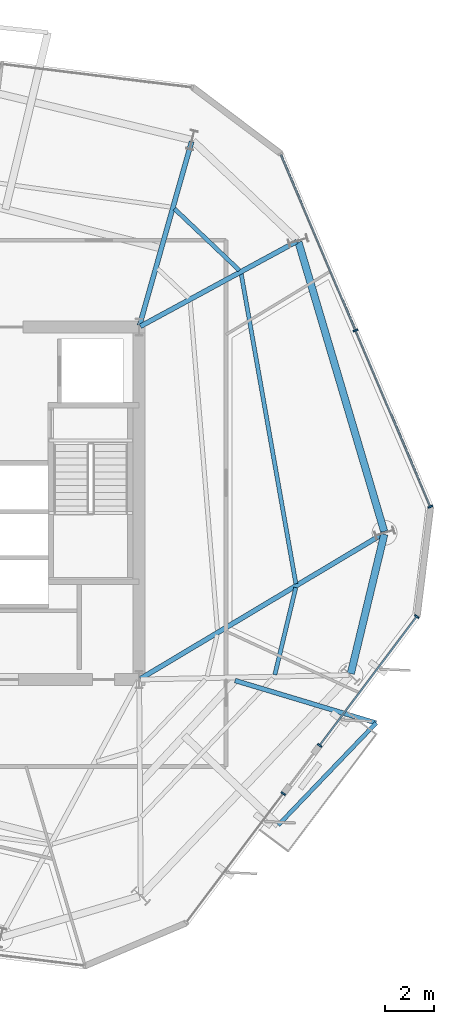
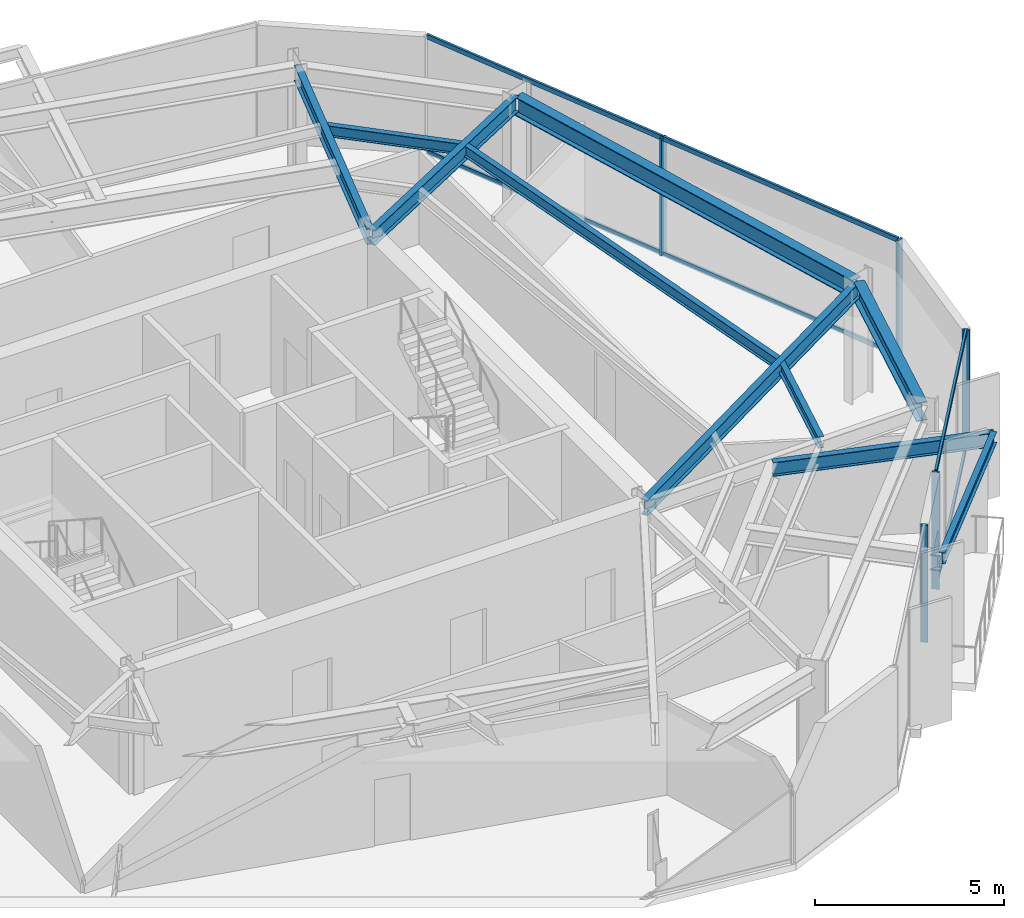
# One storey, part 5 of 12: 11 members, 10 beams, 3 elements without a shape of their own.
"""IFC4 building model written with IfcOpenShell, lengths in metres."""

from ifc_helpers import new_model, si_unit, direction, frame, origin, origin_2d, place, context, subcontext, project, spatial, rectangle, i_section, extrude, material, layer, layer_set, material_profile, profile_set, type_object, element, aggregate, save


model = new_model("IFC4")

# Units and contexts
model_context = context("Model", 3, precision=1e-05, world=origin(), true_north=direction((0.0, 1.0)))
body_context = subcontext(model_context, "Body", "Model", "MODEL_VIEW")
ifc_project = project(units=[si_unit("LENGTHUNIT", "METRE"), si_unit("AREAUNIT", "SQUARE_METRE"), si_unit("VOLUMEUNIT", "CUBIC_METRE"), si_unit("PLANEANGLEUNIT", "RADIAN"), si_unit("MASSUNIT", "GRAM", prefix="KILO")], contexts=[model_context])

# Site, building, storey
site_placement = place(None, origin())
site = spatial("IfcSite", under=ifc_project, at=site_placement, CompositionType="ELEMENT")
building_placement = place(site_placement, origin())
building = spatial("IfcBuilding", under=site, at=building_placement, Name="Kranzbogen Civic Tower", CompositionType="ELEMENT")
storey_placement = place(building_placement, frame((0.0, 0.0, 236.800048828125)))
storey = spatial("IfcBuildingStorey", under=building, at=storey_placement, Name="L57", CompositionType="ELEMENT", Elevation=236.800048828125)

# Beam
ifc_material_1 = material(Name="Steel S355", Category="steel")
ifc_material_profile_1 = material_profile(ifc_material_1, i_section(OverallWidth=0.18994140625, OverallDepth=0.449951171875, WebThickness=0.009521484375, FlangeThickness=0.0146484375, at=origin_2d()), Name="IPE 450")
ifc_profile_set_1 = profile_set([ifc_material_profile_1], Name="Steel S355")
beam_type_1 = type_object("IfcBeamType", Name="Braced Terrace Edge Beam IPE 450", PredefinedType="BEAM", material=ifc_profile_set_1)
beam_1_placement = place(storey_placement, frame((36.718017578125, 17.760009765625, 3.494873046875), z_axis=(0.957469300224, -0.288535160991, 0.0), x_axis=(0.288535160991, 0.957469300224, 0.0)))
element("IfcBeam", 1, at=beam_1_placement, inside=storey, type_object=beam_type_1, Name="L58 back-spanned terrace beam L58-ST-2", PredefinedType="BEAM", context=body_context, shape_type="SweptSolid", body=[
    extrude(i_section(OverallWidth=0.18994140625, OverallDepth=0.449951171875, WebThickness=0.009521484375, FlangeThickness=0.0146484375, at=origin_2d()), origin(), (0.0, 0.0, 1.0), 6.016845703125),
])

# Curtain wall, member
ifc_material_2 = material(Name="Pale Anodised Aluminium", Category="aluminium")
ifc_layer = layer(ifc_material_2, 0.219970703125, Name="Pale Anodised Aluminium")
ifc_layer_set = layer_set([ifc_layer], Name="Pale Anodised Aluminium")
curtain_wall_type = type_object("IfcCurtainWallType", Name="Zone 3 Stick Curtain Wall System CW-04", PredefinedType="USERDEFINED", material=ifc_layer_set)
curtain_wall_1_placement = place(storey_placement, origin())
curtain_wall_1 = element("IfcCurtainWall", 2, at=curtain_wall_1_placement, inside=storey, type_object=curtain_wall_type, Name="L57 curtain wall CW-L57-F5-S1", ObjectType="STICK CURTAIN WALL", PredefinedType="USERDEFINED")
ifc_material_profile_2 = material_profile(ifc_material_2, rectangle(XDim=0.070068359375, YDim=0.199951171875, at=origin_2d()), Name="ALU-M 70x200")
ifc_profile_set_2 = profile_set([ifc_material_profile_2], Name="Pale Anodised Aluminium")
member_type_1 = type_object("IfcMemberType", Name="Curtain Wall Mullion ALU-M 70x200", PredefinedType="MULLION", material=ifc_profile_set_2)
member_1_placement = place(storey_placement, frame((38.69189453125, 13.14208984375, 0.0), z_axis=(0.0, 0.0, 1.0), x_axis=(0.601777999064, 0.798663408353, 0.0)))
member_1 = element("IfcMember", 3, at=member_1_placement, type_object=member_type_1, Name="CW-04 mullion 2", PredefinedType="MULLION", context=body_context, shape_type="SweptSolid", body=[
    extrude(rectangle(XDim=0.070068359375, YDim=0.199951171875, at=origin_2d()), origin(), (0.0, 0.0, 1.0), 3.780029296875),
])
aggregate(curtain_wall_1, [member_1])

# Curtain wall, members
curtain_wall_2_placement = place(storey_placement, origin())
curtain_wall_2 = element("IfcCurtainWall", 4, at=curtain_wall_2_placement, inside=storey, type_object=curtain_wall_type, Name="L57 curtain wall CW-L57-F5-S2", ObjectType="STICK CURTAIN WALL", PredefinedType="USERDEFINED")
member_2_placement = place(storey_placement, frame((40.173095703125, 15.10693359375, 0.0), z_axis=(0.0, 0.0, 1.0), x_axis=(0.601777999064, 0.798663408353, 0.0)))
member_2 = element("IfcMember", 5, at=member_2_placement, type_object=member_type_1, Name="CW-04 mullion 1", PredefinedType="MULLION", context=body_context, shape_type="SweptSolid", body=[
    extrude(rectangle(XDim=0.070068359375, YDim=0.199951171875, at=origin_2d()), origin(), (0.0, 0.0, 1.0), 3.780029296875),
])
member_3_placement = place(storey_placement, frame((44.140869140625, 20.373046875, 0.0), z_axis=(0.0, 0.0, 1.0), x_axis=(0.601777999064, 0.798663408353, 0.0)))
member_3 = element("IfcMember", 6, at=member_3_placement, type_object=member_type_1, Name="CW-04 mullion 2", PredefinedType="MULLION", context=body_context, shape_type="SweptSolid", body=[
    extrude(rectangle(XDim=0.070068359375, YDim=0.199951171875, at=origin_2d()), origin(), (0.0, 0.0, 1.0), 3.780029296875),
])

curtain_wall_3_placement = place(storey_placement, origin())
curtain_wall_3 = element("IfcCurtainWall", 7, at=curtain_wall_3_placement, inside=storey, type_object=curtain_wall_type, Name="L57 curtain wall CW-L57-F6", ObjectType="STICK CURTAIN WALL", PredefinedType="USERDEFINED")
member_4_placement = place(storey_placement, frame((44.6923828125, 24.858642578125, 0.0), z_axis=(0.0, 0.0, 1.0), x_axis=(-0.390705161325, 0.920515875428, 0.0)))
member_4 = element("IfcMember", 8, at=member_4_placement, type_object=member_type_1, Name="CW-04 mullion 1", PredefinedType="MULLION", context=body_context, shape_type="SweptSolid", body=[
    extrude(rectangle(XDim=0.070068359375, YDim=0.199951171875, at=origin_2d()), origin(), (0.0, 0.0, 1.0), 3.780029296875),
])
member_5_placement = place(storey_placement, frame((41.635498046875, 32.060546875, 0.0), z_axis=(0.0, 0.0, 1.0), x_axis=(-0.390705161325, 0.920515875428, 0.0)))
member_5 = element("IfcMember", 9, at=member_5_placement, type_object=member_type_1, Name="CW-04 mullion 2", PredefinedType="MULLION", context=body_context, shape_type="SweptSolid", body=[
    extrude(rectangle(XDim=0.070068359375, YDim=0.199951171875, at=origin_2d()), origin(), (0.0, 0.0, 1.0), 3.780029296875),
])

# Member
ifc_material_profile_3 = material_profile(ifc_material_2, rectangle(XDim=0.070068359375, YDim=0.14990234375, at=origin_2d()), Name="ALU-T 70x150")
ifc_profile_set_3 = profile_set([ifc_material_profile_3], Name="Pale Anodised Aluminium")
member_type_2 = type_object("IfcMemberType", Name="Curtain Wall Transom ALU-T 70x150", PredefinedType="USERDEFINED", material=ifc_profile_set_3)
member_6_placement = place(storey_placement, frame((40.191162109375, 15.130859375, 0.030029296875), z_axis=(0.601756289922, 0.798679765325, 0.0), x_axis=(-0.798679765325, 0.601756289922, 0.0)))
member_6 = element("IfcMember", 10, at=member_6_placement, type_object=member_type_2, Name="CW-04 transom 1.1", ObjectType="TRANSOM", PredefinedType="USERDEFINED", context=body_context, shape_type="SweptSolid", body=[
    extrude(rectangle(XDim=0.070068359375, YDim=0.14990234375, at=origin_2d()), origin(), (0.0, 0.0, 1.0), 6.53369140625),
])

member_7_placement = place(storey_placement, frame((40.191162109375, 15.130859375, 3.75), z_axis=(0.601756289922, 0.798679765325, 0.0), x_axis=(-0.798679765325, 0.601756289922, 0.0)))
member_7 = element("IfcMember", 11, at=member_7_placement, type_object=member_type_2, Name="CW-04 transom 1.2", ObjectType="TRANSOM", PredefinedType="USERDEFINED", context=body_context, shape_type="SweptSolid", body=[
    extrude(rectangle(XDim=0.070068359375, YDim=0.14990234375, at=origin_2d()), origin(), (0.0, 0.0, 1.0), 6.53369140625),
])

aggregate(curtain_wall_2, [member_2, member_3, member_6, member_7])

member_8_placement = place(storey_placement, frame((44.6806640625, 24.88623046875, 0.030029296875), z_axis=(-0.390713774716, 0.920512219499, 0.0), x_axis=(-0.920512219499, -0.390713774716, 0.0)))
member_8 = element("IfcMember", 12, at=member_8_placement, type_object=member_type_2, Name="CW-04 transom 1.1", ObjectType="TRANSOM", PredefinedType="USERDEFINED", context=body_context, shape_type="SweptSolid", body=[
    extrude(rectangle(XDim=0.070068359375, YDim=0.14990234375, at=origin_2d()), origin(), (0.0, 0.0, 1.0), 7.763916015625),
])

member_9_placement = place(storey_placement, frame((44.6806640625, 24.88623046875, 3.75), z_axis=(-0.390713774716, 0.920512219499, 0.0), x_axis=(-0.920512219499, -0.390713774716, 0.0)))
member_9 = element("IfcMember", 13, at=member_9_placement, type_object=member_type_2, Name="CW-04 transom 1.2", ObjectType="TRANSOM", PredefinedType="USERDEFINED", context=body_context, shape_type="SweptSolid", body=[
    extrude(rectangle(XDim=0.070068359375, YDim=0.14990234375, at=origin_2d()), origin(), (0.0, 0.0, 1.0), 7.763916015625),
])

member_10_placement = place(storey_placement, frame((41.623779296875, 32.088134765625, 0.030029296875), z_axis=(-0.390713774716, 0.920512219499, 0.0), x_axis=(-0.920512219499, -0.390713774716, 0.0)))
member_10 = element("IfcMember", 14, at=member_10_placement, type_object=member_type_2, Name="CW-04 transom 2.1", ObjectType="TRANSOM", PredefinedType="USERDEFINED", context=body_context, shape_type="SweptSolid", body=[
    extrude(rectangle(XDim=0.070068359375, YDim=0.14990234375, at=origin_2d()), origin(), (0.0, 0.0, 1.0), 7.763916015625),
])

member_11_placement = place(storey_placement, frame((41.623779296875, 32.088134765625, 3.75), z_axis=(-0.390713774716, 0.920512219499, 0.0), x_axis=(-0.920512219499, -0.390713774716, 0.0)))
member_11 = element("IfcMember", 15, at=member_11_placement, type_object=member_type_2, Name="CW-04 transom 2.2", ObjectType="TRANSOM", PredefinedType="USERDEFINED", context=body_context, shape_type="SweptSolid", body=[
    extrude(rectangle(XDim=0.070068359375, YDim=0.14990234375, at=origin_2d()), origin(), (0.0, 0.0, 1.0), 7.763916015625),
])

aggregate(curtain_wall_3, [member_4, member_5, member_8, member_9, member_10, member_11])

# Beams
ifc_material_profile_4 = material_profile(ifc_material_1, i_section(OverallWidth=0.300048828125, OverallDepth=0.60009765625, WebThickness=0.015380859375, FlangeThickness=0.030029296875, at=origin_2d()), Name="HEB 600")
ifc_profile_set_4 = profile_set([ifc_material_profile_4], Name="Steel S355")
beam_type_2 = type_object("IfcBeamType", Name="Perimeter Tube Spandrel Beam HEB 600", PredefinedType="SPANDREL", material=ifc_profile_set_4)
beam_2_placement = place(storey_placement, frame((41.447021484375, 18.0419921875, 3.47998046875), z_axis=(0.233554380434, 0.972343741369, 0.0), x_axis=(-0.972343741369, 0.233554380434, 0.0)))
element("IfcBeam", 16, at=beam_2_placement, inside=storey, type_object=beam_type_2, Name="L57 perimeter spandrel beam 05", PredefinedType="SPANDREL", context=body_context, shape_type="SweptSolid", body=[
    extrude(i_section(OverallWidth=0.300048828125, OverallDepth=0.60009765625, WebThickness=0.015380859375, FlangeThickness=0.030029296875, at=origin_2d()), origin(), (0.0, 0.0, 1.0), 5.852783203125),
])
beam_3_placement = place(storey_placement, frame((42.81103515625, 23.84912109375, 3.47998046875), z_axis=(-0.284064048956, 0.958805306666, 0.0), x_axis=(-0.958805306666, -0.284064048956, 0.0)))
element("IfcBeam", 17, at=beam_3_placement, inside=storey, type_object=beam_type_2, Name="L57 perimeter spandrel beam 06", PredefinedType="SPANDREL", context=body_context, shape_type="SweptSolid", body=[
    extrude(i_section(OverallWidth=0.300048828125, OverallDepth=0.60009765625, WebThickness=0.015380859375, FlangeThickness=0.030029296875, at=origin_2d()), origin(), (0.0, 0.0, 1.0), 12.32470703125),
])
ifc_material_profile_5 = material_profile(ifc_material_1, i_section(OverallWidth=0.199951171875, OverallDepth=0.5, WebThickness=0.01025390625, FlangeThickness=0.01611328125, at=origin_2d()), Name="IPE 500")
ifc_profile_set_5 = profile_set([ifc_material_profile_5], Name="Steel S355")
beam_type_3 = type_object("IfcBeamType", Name="Radial Tower Floor Girder IPE 500", PredefinedType="BEAM", material=ifc_profile_set_5)
beam_4_placement = place(storey_placement, frame((42.77587890625, 23.760009765625, 3.530029296875), z_axis=(-0.858458551809, -0.512882944565, 0.0), x_axis=(0.512882944565, -0.858458551809, 0.0)))
element("IfcBeam", 18, at=beam_4_placement, inside=storey, type_object=beam_type_3, Name="L57 radial floor girder 06", PredefinedType="BEAM", context=body_context, shape_type="SweptSolid", body=[
    extrude(i_section(OverallWidth=0.199951171875, OverallDepth=0.5, WebThickness=0.01025390625, FlangeThickness=0.01611328125, at=origin_2d()), origin(), (0.0, 0.0, 1.0), 11.56005859375),
])
beam_5_placement = place(storey_placement, frame((39.239990234375, 35.695068359375, 3.530029296875), z_axis=(-0.878919430102, -0.476970266777, 0.0), x_axis=(0.476970266777, -0.878919430102, 0.0)))
element("IfcBeam", 19, at=beam_5_placement, inside=storey, type_object=beam_type_3, Name="L57 radial floor girder 07", PredefinedType="BEAM", context=body_context, shape_type="SweptSolid", body=[
    extrude(i_section(OverallWidth=0.199951171875, OverallDepth=0.5, WebThickness=0.01025390625, FlangeThickness=0.01611328125, at=origin_2d()), origin(), (0.0, 0.0, 1.0), 7.266845703125),
])
beam_6_placement = place(storey_placement, frame((34.945068359375, 39.777099609375, 3.530029296875), z_axis=(-0.272455078988, -0.962168503919, 0.0), x_axis=(0.962168503919, -0.272455078988, 0.0)))
element("IfcBeam", 20, at=beam_6_placement, inside=storey, type_object=beam_type_3, Name="L57 radial floor girder 08", PredefinedType="BEAM", context=body_context, shape_type="SweptSolid", body=[
    extrude(i_section(OverallWidth=0.199951171875, OverallDepth=0.5, WebThickness=0.01025390625, FlangeThickness=0.01611328125, at=origin_2d()), origin(), (0.0, 0.0, 1.0), 7.814697265625),
])
ifc_material_profile_6 = material_profile(ifc_material_1, i_section(OverallWidth=0.169921875, OverallDepth=0.360107421875, WebThickness=0.008056640625, FlangeThickness=0.0126953125, at=origin_2d()), Name="IPE 360")
ifc_profile_set_6 = profile_set([ifc_material_profile_6], Name="Steel S355")
beam_type_4 = type_object("IfcBeamType", Name="Secondary Composite Floor Joist IPE 360", PredefinedType="JOIST", material=ifc_profile_set_6)
beam_7_placement = place(storey_placement, frame((38.343994140625, 17.99609375, 3.599853515625), z_axis=(0.233534367714, 0.972348548154, 0.0), x_axis=(-0.972348548154, 0.233534367714, 0.0)))
element("IfcBeam", 21, at=beam_7_placement, inside=storey, type_object=beam_type_4, Name="L57 secondary floor joist 1.05", PredefinedType="JOIST", context=body_context, shape_type="SweptSolid", body=[
    extrude(i_section(OverallWidth=0.169921875, OverallDepth=0.360107421875, WebThickness=0.008056640625, FlangeThickness=0.0126953125, at=origin_2d()), origin(), (0.0, 0.0, 1.0), 3.6611328125),
])
beam_8_placement = place(storey_placement, frame((39.2041015625, 21.712890625, 3.599853515625), z_axis=(-0.173805911364, 0.984779927281, 0.0), x_axis=(-0.984779927281, -0.173805911364, 0.0)))
element("IfcBeam", 22, at=beam_8_placement, inside=storey, type_object=beam_type_4, Name="L57 secondary floor joist 1.06", PredefinedType="JOIST", context=body_context, shape_type="SweptSolid", body=[
    extrude(i_section(OverallWidth=0.169921875, OverallDepth=0.360107421875, WebThickness=0.008056640625, FlangeThickness=0.0126953125, at=origin_2d()), origin(), (0.0, 0.0, 1.0), 12.85986328125),
])
beam_9_placement = place(storey_placement, frame((36.89697265625, 34.510009765625, 3.599853515625), z_axis=(-0.725300648604, 0.688432254572, 0.0), x_axis=(-0.688432254572, -0.725300648604, 0.0)))
element("IfcBeam", 23, at=beam_9_placement, inside=storey, type_object=beam_type_4, Name="L57 secondary floor joist 1.07", PredefinedType="JOIST", context=body_context, shape_type="SweptSolid", body=[
    extrude(i_section(OverallWidth=0.169921875, OverallDepth=0.360107421875, WebThickness=0.008056640625, FlangeThickness=0.0126953125, at=origin_2d()), origin(), (0.0, 0.0, 1.0), 3.661865234375),
])
beam_10_placement = place(storey_placement, frame((38.485107421875, 11.85302734375, 3.5400390625), z_axis=(0.691615143185, 0.722266220806, 0.0), x_axis=(-0.722266220806, 0.691615143185, 0.0)))
element("IfcBeam", 24, at=beam_10_placement, inside=storey, type_object=beam_type_4, Name="L58 terrace outer edge trimmer L58-ST", PredefinedType="JOIST", context=body_context, shape_type="SweptSolid", body=[
    extrude(i_section(OverallWidth=0.169921875, OverallDepth=0.360107421875, WebThickness=0.008056640625, FlangeThickness=0.0126953125, at=origin_2d()), origin(), (0.0, 0.0, 1.0), 5.774658203125),
])

save(model, "model.ifc")
